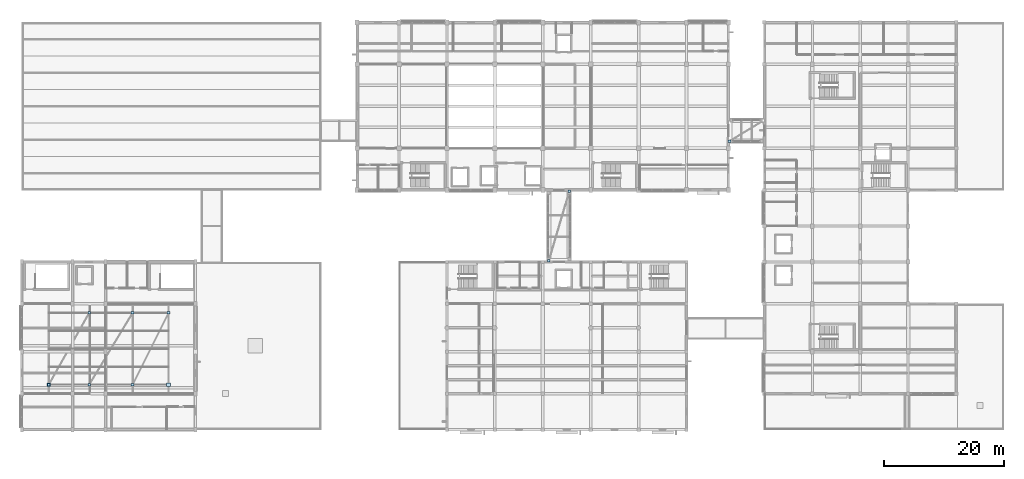
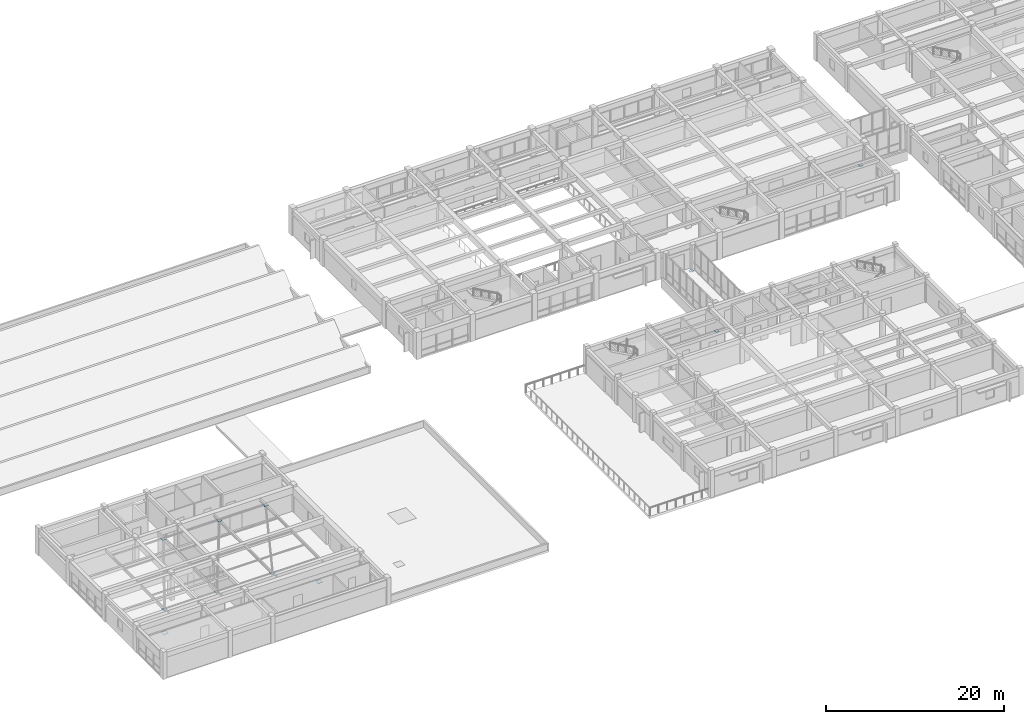
# One storey, part 23 of 42: 11 plates.
"""IFC4 building model written with IfcOpenShell, lengths in metres."""

from ifc_helpers import new_model, si_unit, direction, frame, origin, origin_2d, place, context, subcontext, project, spatial, rectangle, extrude, material, layer, layer_set, type_object, element, save


model = new_model("IFC4")

# Units and contexts
model_context = context("Model", 3, precision=1e-05, world=origin(), true_north=direction((0.0, 1.0)))
body_context = subcontext(model_context, "Body", "Model", "MODEL_VIEW")
ifc_project = project(units=[si_unit("LENGTHUNIT", "METRE"), si_unit("AREAUNIT", "SQUARE_METRE"), si_unit("VOLUMEUNIT", "CUBIC_METRE"), si_unit("PLANEANGLEUNIT", "RADIAN"), si_unit("MASSUNIT", "GRAM", prefix="KILO")], contexts=[model_context])

# Site, building, storey
site_placement = place(None, origin())
site = spatial("IfcSite", under=ifc_project, at=site_placement, CompositionType="ELEMENT")
building_placement = place(site_placement, origin())
building = spatial("IfcBuilding", under=site, at=building_placement, Name="Naurynzar Civic Courthouse", CompositionType="ELEMENT")
storey_placement = place(building_placement, frame((0.0, 0.0, 18.300048828125)))
storey = spatial("IfcBuildingStorey", under=building, at=storey_placement, Name="L05", CompositionType="ELEMENT", Elevation=18.300048828125)

# Plates
ifc_material_1 = material(Name="Steel S355", Category="steel")
ifc_layer_1 = layer(ifc_material_1, 0.030029296875)
ifc_layer_set_1 = layer_set([ifc_layer_1], Name="PLT-BASE-600x600x30")
plate_type_1 = type_object("IfcPlateType", Name="PLT-BASE-600x600x30", PredefinedType="USERDEFINED", material=ifc_layer_set_1)
for number, where, z_axis, x_axis, name in (
    (1, (10.5, 11.5, 0.0), (0.0, 0.0, 1.0), (1.0, 0.0, 0.0), "Skylight portal base plate 1"),
    (2, (30.5, 11.5, 0.0), (0.0, 0.0, 1.0), (1.0, 0.0, 0.0), "Skylight portal base plate 2"),
):
    element("IfcPlate", number, at=place(storey_placement, frame(where, z_axis=z_axis, x_axis=x_axis)), inside=storey, type_object=plate_type_1, Name=name, ObjectType="BASE PLATE", PredefinedType="USERDEFINED", context=body_context, shape_type="SweptSolid", body=[
        extrude(rectangle(XDim=0.60009765625, YDim=0.60009765625, at=origin_2d()), origin(), (0.0, 0.0, 1.0), 0.030029296875),
    ])
ifc_material_2 = material(Name="Steel S355", Category="steel")
ifc_layer_2 = layer(ifc_material_2, 0.02001953125)
ifc_layer_set_2 = layer_set([ifc_layer_2], Name="PLT-GUSSET-450x450x20")
plate_type_2 = type_object("IfcPlateType", Name="PLT-GUSSET-450x450x20", PredefinedType="USERDEFINED", material=ifc_layer_set_2)
for number, where, z_axis, x_axis, name in (
    (3, (93.97998046875, 32.179931640625, -0.4150390625), (0.0, 0.0, 1.0), (1.0, 0.0, 0.0), "BR-C1 wind brace gusset plate L05.1"),
    (4, (97.419921875, 43.820068359375, -0.4150390625), (0.0, 0.0, 1.0), (1.0, 0.0, 0.0), "BR-C1 wind brace gusset plate L05.2"),
    (5, (124.179931640625, 52.179931640625, -0.4150390625), (0.0, 0.0, 1.0), (1.0, 0.0, 0.0), "BR-E1 wind brace gusset plate L05.1"),
    (6, (10.5, 11.5, 3.22998046875), (0.0, 0.0, 1.0), (1.0, 0.0, 0.0), "Public Hall skylight brace gusset plate 1.1"),
    (7, (17.25, 23.5, 3.22998046875), (0.0, 0.0, 1.0), (1.0, 0.0, 0.0), "Public Hall skylight brace gusset plate 1.2"),
    (8, (17.25, 11.5, 3.22998046875), (0.0, 0.0, 1.0), (1.0, 0.0, 0.0), "Public Hall skylight brace gusset plate 2.1"),
    (9, (24.5, 23.5, 3.22998046875), (0.0, 0.0, 1.0), (1.0, 0.0, 0.0), "Public Hall skylight brace gusset plate 2.2"),
    (10, (24.5, 11.5, 3.22998046875), (0.0, 0.0, 1.0), (1.0, 0.0, 0.0), "Public Hall skylight brace gusset plate 3.1"),
    (11, (30.5, 23.5, 3.22998046875), (0.0, 0.0, 1.0), (1.0, 0.0, 0.0), "Public Hall skylight brace gusset plate 3.2"),
):
    element("IfcPlate", number, at=place(storey_placement, frame(where, z_axis=z_axis, x_axis=x_axis)), inside=storey, type_object=plate_type_2, Name=name, ObjectType="GUSSET PLATE", PredefinedType="USERDEFINED", context=body_context, shape_type="SweptSolid", body=[
        extrude(rectangle(XDim=0.449951171875, YDim=0.449951171875, at=origin_2d()), origin(), (0.0, 0.0, 1.0), 0.02001953125),
    ])

save(model, "model.ifc")
